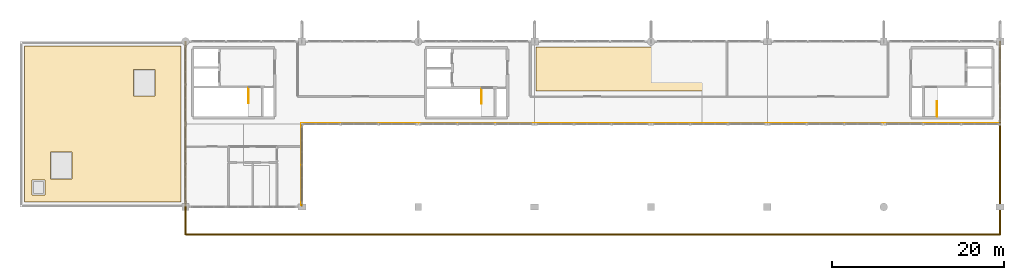
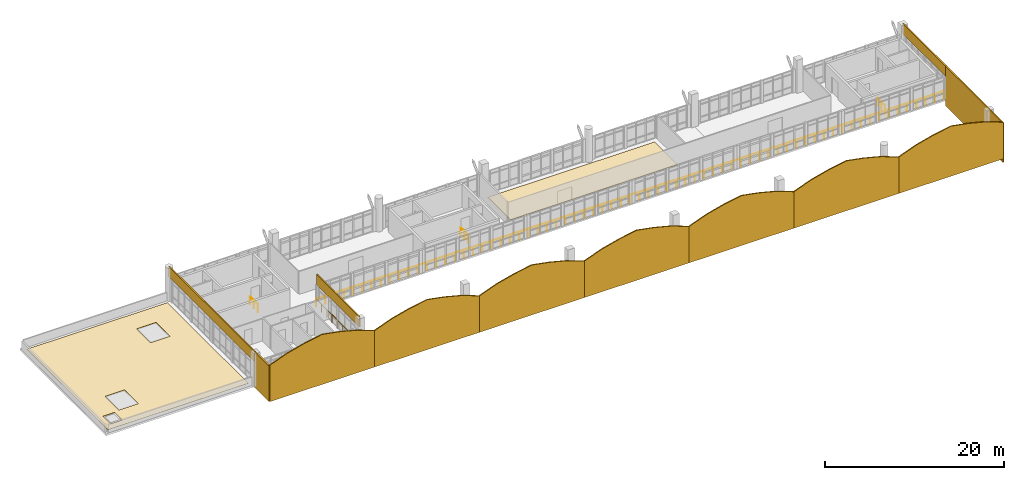
# One storey, part 37 of 37: 14 coverings, 5 railings.
"""IFC4 building model written with IfcOpenShell, lengths in metres."""

from ifc_helpers import new_model, si_unit, direction, frame, frame_2d, origin, origin_2d, place, context, subcontext, project, spatial, polyline, rectangle, circle, outline, extrude, material, layer, layer_set, type_object, element, save


model = new_model("IFC4")

# Units and contexts
model_context = context("Model", 3, precision=1e-05, world=origin(), true_north=direction((0.0, 1.0)))
body_context = subcontext(model_context, "Body", "Model", "MODEL_VIEW")
ifc_project = project(units=[si_unit("LENGTHUNIT", "METRE"), si_unit("AREAUNIT", "SQUARE_METRE"), si_unit("VOLUMEUNIT", "CUBIC_METRE"), si_unit("PLANEANGLEUNIT", "RADIAN"), si_unit("MASSUNIT", "GRAM", prefix="KILO")], contexts=[model_context])

# Site, building, storey
site_placement = place(None, origin())
site = spatial("IfcSite", under=ifc_project, at=site_placement, CompositionType="ELEMENT")
building_placement = place(site_placement, origin())
building = spatial("IfcBuilding", under=site, at=building_placement, Name="Fikremerkos Civic Library", CompositionType="ELEMENT")
storey_placement = place(building_placement, frame((0.0, 0.0, 23.39990234375)))
storey = spatial("IfcBuildingStorey", under=building, at=storey_placement, Name="L05", CompositionType="ELEMENT", Elevation=23.39990234375)

# Coverings
ifc_material_1 = material(Name="Anodised aluminium mullion and transom", Category="aluminium")
ifc_layer_1 = layer(ifc_material_1, 0.139892578125, Name="Anodised aluminium mullion and transom")
ifc_layer_set_1 = layer_set([ifc_layer_1], Name="Anodised aluminium mullion and transom")
covering_type_1 = type_object("IfcCoveringType", Name="Anodised aluminium clerestory closure CLD-03", PredefinedType="CLADDING", material=ifc_layer_set_1)
for number, where, z_axis, x_axis, name in (
    (1, (19.199951171875, 8.800048828125, -0.35986328125), (0.0, 0.0, 1.0), (1.0, 0.0, 0.0), "Reading hall south clerestory and barrel-vault lunette closure CLD-03 V1"),
    (2, (32.699951171875, 8.800048828125, -0.35986328125), (0.0, 0.0, 1.0), (1.0, 0.0, 0.0), "Reading hall south clerestory and barrel-vault lunette closure CLD-03 V2"),
    (3, (46.199951171875, 8.800048828125, -0.35986328125), (0.0, 0.0, 1.0), (1.0, 0.0, 0.0), "Reading hall south clerestory and barrel-vault lunette closure CLD-03 V3"),
    (4, (59.699951171875, 8.800048828125, -0.35986328125), (0.0, 0.0, 1.0), (1.0, 0.0, 0.0), "Reading hall south clerestory and barrel-vault lunette closure CLD-03 V4"),
    (5, (73.199951171875, 8.800048828125, -0.35986328125), (0.0, 0.0, 1.0), (1.0, 0.0, 0.0), "Reading hall south clerestory and barrel-vault lunette closure CLD-03 V5"),
    (6, (86.699951171875, 8.800048828125, -0.35986328125), (0.0, 0.0, 1.0), (1.0, 0.0, 0.0), "Reading hall south clerestory and barrel-vault lunette closure CLD-03 V6"),
    (7, (100.199951171875, 8.800048828125, -0.35986328125), (0.0, 0.0, 1.0), (1.0, 0.0, 0.0), "Reading hall south clerestory and barrel-vault lunette closure CLD-03 V7"),
):
    element("IfcCovering", number, at=place(storey_placement, frame(where, z_axis=z_axis, x_axis=x_axis)), inside=storey, type_object=covering_type_1, Name=name, PredefinedType="CLADDING", context=body_context, shape_type="SweptSolid", body=[
        extrude(outline(polyline([(0.0, 0.0), (13.5, 0.0), (13.5, 4.955810546875), (11.25, 5.8017578125), (9.0, 6.3798828125), (6.75, 6.7998046875), (4.5, 6.3798828125), (2.25, 5.8017578125), (0.0, 4.955810546875), (0.0, 0.0)])), frame((0.0, 0.06982421875, 0.0), z_axis=(0.0, -1.0, 0.0), x_axis=(1.0, 0.0, 0.0)), (0.0, 0.0, 1.0), 0.139892578125),
    ])
covering_1_placement = place(storey_placement, frame((32.699951171875, 12.0, 3.10009765625), z_axis=(0.0, 0.0, 1.0), x_axis=(0.0, 1.0, 0.0)))
element("IfcCovering", 8, at=covering_1_placement, inside=storey, type_object=covering_type_1, Name="Mezzanine west return head closure CLD-03", PredefinedType="CLADDING", context=body_context, shape_type="SweptSolid", body=[
    extrude(rectangle(XDim=9.60009765625, YDim=0.139892578125, at=frame_2d((4.800048828125, 0.0))), origin(), (0.0, 0.0, 1.0), 1.39990234375),
])
ifc_material_2 = material(Name="Polymer modified bitumen roofing")
ifc_layer_2 = layer(ifc_material_2, 0.034912109375, Name="Polymer modified bitumen roofing")
ifc_layer_set_2 = layer_set([ifc_layer_2], Name="Polymer modified bitumen roofing")
covering_type_2 = type_object("IfcCoveringType", Name="Insulated roof waterproofing membrane RFG-01", PredefinedType="ROOFING", material=ifc_layer_set_2)
covering_2_placement = place(storey_placement, origin())
element("IfcCovering", 9, at=covering_2_placement, inside=storey, type_object=covering_type_2, Name="Roof waterproofing membrane RFG-01 RF-L05-V5S", PredefinedType="ROOFING", context=body_context, shape_type="SweptSolid", body=[
    extrude(outline(polyline([(0.550048828125, 12.550048828125), (18.64990234375, 12.550048828125), (18.64990234375, 30.64990234375), (0.550048828125, 30.64990234375), (0.550048828125, 12.550048828125)]), holes=[polyline([(3.550048828125, 15.25), (6.050048828125, 15.25), (6.050048828125, 18.35009765625), (3.550048828125, 18.35009765625), (3.550048828125, 15.25)]), polyline([(13.14990234375, 24.85009765625), (15.64990234375, 24.85009765625), (15.64990234375, 27.949951171875), (13.14990234375, 27.949951171875), (13.14990234375, 24.85009765625)]), polyline([(1.39990234375, 13.39990234375), (2.89990234375, 13.39990234375), (2.89990234375, 15.10009765625), (1.39990234375, 15.10009765625), (1.39990234375, 13.39990234375)])]), origin(), (0.0, 0.0, 1.0), 0.03515625),
])

# Railings
ifc_material_3 = material(Name="Painted Steel S275", Category="steel")
railing_type = type_object("IfcRailingType", Name="Interior balustrade guard RLG-INT 1100", PredefinedType="BALUSTRADE", material=ifc_material_3)
railing_1_placement = place(storey_placement, frame((26.5, 25.800048828125, 0.0)))
element("IfcRailing", 10, at=railing_1_placement, inside=storey, type_object=railing_type, Name="L05 ST-K1 top well guard 1", PredefinedType="BALUSTRADE", context=body_context, shape_type="SweptSolid", body=[
    extrude(circle(Radius=0.02392578125, at=origin_2d()), frame((0.0, 0.0, 1.076171875), z_axis=(0.0, -1.0, 0.0), x_axis=(1.0, 0.0, 0.0)), (0.0, 0.0, 1.0), 1.75),
    extrude(circle(Radius=0.02099609375, at=origin_2d()), origin(), (0.0, 0.0, 1.0), 1.052001953125),
    extrude(circle(Radius=0.02099609375, at=origin_2d()), frame((0.0, -0.875, 0.0)), (0.0, 0.0, 1.0), 1.052001953125),
    extrude(circle(Radius=0.02099609375, at=origin_2d()), frame((0.0, -1.75, 0.0)), (0.0, 0.0, 1.0), 1.052001953125),
])
railing_2_placement = place(storey_placement, frame((106.39990234375, 22.5, 0.0)))
element("IfcRailing", 11, at=railing_2_placement, inside=storey, type_object=railing_type, Name="L05 ST-K2 top well guard 1", PredefinedType="BALUSTRADE", context=body_context, shape_type="SweptSolid", body=[
    extrude(circle(Radius=0.02392578125, at=origin_2d()), frame((0.0, 0.0, 1.076171875), z_axis=(0.0, 1.0, 0.0), x_axis=(-1.0, 0.0, 0.0)), (0.0, 0.0, 1.0), 1.75),
    extrude(circle(Radius=0.02099609375, at=origin_2d()), origin(), (0.0, 0.0, 1.0), 1.052001953125),
    extrude(circle(Radius=0.02099609375, at=origin_2d()), frame((0.0, 0.875, 0.0)), (0.0, 0.0, 1.0), 1.052001953125),
    extrude(circle(Radius=0.02099609375, at=origin_2d()), frame((0.0, 1.75, 0.0)), (0.0, 0.0, 1.0), 1.052001953125),
])
railing_3_placement = place(storey_placement, frame((53.550048828125, 25.699951171875, 0.0)))
element("IfcRailing", 12, at=railing_3_placement, inside=storey, type_object=railing_type, Name="L05 ST-K3 top well guard 1", PredefinedType="BALUSTRADE", context=body_context, shape_type="SweptSolid", body=[
    extrude(circle(Radius=0.02392578125, at=origin_2d()), frame((0.0, 0.0, 1.076171875), z_axis=(0.0, -1.0, 0.0), x_axis=(1.0, 0.0, 0.0)), (0.0, 0.0, 1.0), 1.699951171875),
    extrude(circle(Radius=0.02099609375, at=origin_2d()), origin(), (0.0, 0.0, 1.0), 1.052001953125),
    extrude(circle(Radius=0.02099609375, at=origin_2d()), frame((0.0, -0.85009765625, 0.0)), (0.0, 0.0, 1.0), 1.052001953125),
    extrude(circle(Radius=0.02099609375, at=origin_2d()), frame((0.0, -1.699951171875, 0.0)), (0.0, 0.0, 1.0), 1.052001953125),
])
railing_4_placement = place(storey_placement, frame((32.64990234375, 21.679931640625, 0.0)))
element("IfcRailing", 13, at=railing_4_placement, inside=storey, type_object=railing_type, Name="Mezzanine overlooking balustrade guard L05 S", PredefinedType="BALUSTRADE", context=body_context, shape_type="SweptSolid", body=[
    extrude(circle(Radius=0.02392578125, at=origin_2d()), frame((0.0, 0.0, 1.076171875), z_axis=(1.0, 0.0, 0.0), x_axis=(0.0, 1.0, 0.0)), (0.0, 0.0, 1.0), 80.85009765625),
    extrude(circle(Radius=0.02099609375, at=origin_2d()), origin(), (0.0, 0.0, 1.0), 1.052001953125),
    extrude(circle(Radius=0.02099609375, at=origin_2d()), frame((1.18896484375, 0.0, 0.0)), (0.0, 0.0, 1.0), 1.052001953125),
    extrude(circle(Radius=0.02099609375, at=origin_2d()), frame((2.3779296875, 0.0, 0.0)), (0.0, 0.0, 1.0), 1.052001953125),
    extrude(circle(Radius=0.02099609375, at=origin_2d()), frame((3.56689453125, 0.0, 0.0)), (0.0, 0.0, 1.0), 1.052001953125),
    extrude(circle(Radius=0.02099609375, at=origin_2d()), frame((4.755859375, 0.0, 0.0)), (0.0, 0.0, 1.0), 1.052001953125),
    extrude(circle(Radius=0.02099609375, at=origin_2d()), frame((5.94482421875, 0.0, 0.0)), (0.0, 0.0, 1.0), 1.052001953125),
    extrude(circle(Radius=0.02099609375, at=origin_2d()), frame((7.1337890625, 0.0, 0.0)), (0.0, 0.0, 1.0), 1.052001953125),
    extrude(circle(Radius=0.02099609375, at=origin_2d()), frame((8.32275390625, 0.0, 0.0)), (0.0, 0.0, 1.0), 1.052001953125),
    extrude(circle(Radius=0.02099609375, at=origin_2d()), frame((9.51171875, 0.0, 0.0)), (0.0, 0.0, 1.0), 1.052001953125),
    extrude(circle(Radius=0.02099609375, at=origin_2d()), frame((10.70068359375, 0.0, 0.0)), (0.0, 0.0, 1.0), 1.052001953125),
    extrude(circle(Radius=0.02099609375, at=origin_2d()), frame((11.8896484375, 0.0, 0.0)), (0.0, 0.0, 1.0), 1.052001953125),
    extrude(circle(Radius=0.02099609375, at=origin_2d()), frame((13.07861328125, 0.0, 0.0)), (0.0, 0.0, 1.0), 1.052001953125),
    extrude(circle(Radius=0.02099609375, at=origin_2d()), frame((14.267578125, 0.0, 0.0)), (0.0, 0.0, 1.0), 1.052001953125),
    extrude(circle(Radius=0.02099609375, at=origin_2d()), frame((15.45654296875, 0.0, 0.0)), (0.0, 0.0, 1.0), 1.052001953125),
    extrude(circle(Radius=0.02099609375, at=origin_2d()), frame((16.6455078125, 0.0, 0.0)), (0.0, 0.0, 1.0), 1.052001953125),
    extrude(circle(Radius=0.02099609375, at=origin_2d()), frame((17.83447265625, 0.0, 0.0)), (0.0, 0.0, 1.0), 1.052001953125),
    extrude(circle(Radius=0.02099609375, at=origin_2d()), frame((19.0234375, 0.0, 0.0)), (0.0, 0.0, 1.0), 1.052001953125),
    extrude(circle(Radius=0.02099609375, at=origin_2d()), frame((20.21240234375, 0.0, 0.0)), (0.0, 0.0, 1.0), 1.052001953125),
    extrude(circle(Radius=0.02099609375, at=origin_2d()), frame((21.401611328125, 0.0, 0.0)), (0.0, 0.0, 1.0), 1.052001953125),
    extrude(circle(Radius=0.02099609375, at=origin_2d()), frame((22.590576171875, 0.0, 0.0)), (0.0, 0.0, 1.0), 1.052001953125),
    extrude(circle(Radius=0.02099609375, at=origin_2d()), frame((23.779541015625, 0.0, 0.0)), (0.0, 0.0, 1.0), 1.052001953125),
    extrude(circle(Radius=0.02099609375, at=origin_2d()), frame((24.968505859375, 0.0, 0.0)), (0.0, 0.0, 1.0), 1.052001953125),
    extrude(circle(Radius=0.02099609375, at=origin_2d()), frame((26.157470703125, 0.0, 0.0)), (0.0, 0.0, 1.0), 1.052001953125),
    extrude(circle(Radius=0.02099609375, at=origin_2d()), frame((27.346435546875, 0.0, 0.0)), (0.0, 0.0, 1.0), 1.052001953125),
    extrude(circle(Radius=0.02099609375, at=origin_2d()), frame((28.535400390625, 0.0, 0.0)), (0.0, 0.0, 1.0), 1.052001953125),
    extrude(circle(Radius=0.02099609375, at=origin_2d()), frame((29.724365234375, 0.0, 0.0)), (0.0, 0.0, 1.0), 1.052001953125),
    extrude(circle(Radius=0.02099609375, at=origin_2d()), frame((30.913330078125, 0.0, 0.0)), (0.0, 0.0, 1.0), 1.052001953125),
    extrude(circle(Radius=0.02099609375, at=origin_2d()), frame((32.102294921875, 0.0, 0.0)), (0.0, 0.0, 1.0), 1.052001953125),
    extrude(circle(Radius=0.02099609375, at=origin_2d()), frame((33.291259765625, 0.0, 0.0)), (0.0, 0.0, 1.0), 1.052001953125),
    extrude(circle(Radius=0.02099609375, at=origin_2d()), frame((34.480224609375, 0.0, 0.0)), (0.0, 0.0, 1.0), 1.052001953125),
    extrude(circle(Radius=0.02099609375, at=origin_2d()), frame((35.669189453125, 0.0, 0.0)), (0.0, 0.0, 1.0), 1.052001953125),
    extrude(circle(Radius=0.02099609375, at=origin_2d()), frame((36.858154296875, 0.0, 0.0)), (0.0, 0.0, 1.0), 1.052001953125),
    extrude(circle(Radius=0.02099609375, at=origin_2d()), frame((38.047119140625, 0.0, 0.0)), (0.0, 0.0, 1.0), 1.052001953125),
    extrude(circle(Radius=0.02099609375, at=origin_2d()), frame((39.236083984375, 0.0, 0.0)), (0.0, 0.0, 1.0), 1.052001953125),
    extrude(circle(Radius=0.02099609375, at=origin_2d()), frame((40.425048828125, 0.0, 0.0)), (0.0, 0.0, 1.0), 1.052001953125),
    extrude(circle(Radius=0.02099609375, at=origin_2d()), frame((41.614013671875, 0.0, 0.0)), (0.0, 0.0, 1.0), 1.052001953125),
    extrude(circle(Radius=0.02099609375, at=origin_2d()), frame((42.802978515625, 0.0, 0.0)), (0.0, 0.0, 1.0), 1.052001953125),
    extrude(circle(Radius=0.02099609375, at=origin_2d()), frame((43.991943359375, 0.0, 0.0)), (0.0, 0.0, 1.0), 1.052001953125),
    extrude(circle(Radius=0.02099609375, at=origin_2d()), frame((45.180908203125, 0.0, 0.0)), (0.0, 0.0, 1.0), 1.052001953125),
    extrude(circle(Radius=0.02099609375, at=origin_2d()), frame((46.369873046875, 0.0, 0.0)), (0.0, 0.0, 1.0), 1.052001953125),
    extrude(circle(Radius=0.02099609375, at=origin_2d()), frame((47.558837890625, 0.0, 0.0)), (0.0, 0.0, 1.0), 1.052001953125),
    extrude(circle(Radius=0.02099609375, at=origin_2d()), frame((48.747802734375, 0.0, 0.0)), (0.0, 0.0, 1.0), 1.052001953125),
    extrude(circle(Radius=0.02099609375, at=origin_2d()), frame((49.936767578125, 0.0, 0.0)), (0.0, 0.0, 1.0), 1.052001953125),
    extrude(circle(Radius=0.02099609375, at=origin_2d()), frame((51.125732421875, 0.0, 0.0)), (0.0, 0.0, 1.0), 1.052001953125),
    extrude(circle(Radius=0.02099609375, at=origin_2d()), frame((52.314697265625, 0.0, 0.0)), (0.0, 0.0, 1.0), 1.052001953125),
    extrude(circle(Radius=0.02099609375, at=origin_2d()), frame((53.503662109375, 0.0, 0.0)), (0.0, 0.0, 1.0), 1.052001953125),
    extrude(circle(Radius=0.02099609375, at=origin_2d()), frame((54.692626953125, 0.0, 0.0)), (0.0, 0.0, 1.0), 1.052001953125),
    extrude(circle(Radius=0.02099609375, at=origin_2d()), frame((55.881591796875, 0.0, 0.0)), (0.0, 0.0, 1.0), 1.052001953125),
    extrude(circle(Radius=0.02099609375, at=origin_2d()), frame((57.070556640625, 0.0, 0.0)), (0.0, 0.0, 1.0), 1.052001953125),
    extrude(circle(Radius=0.02099609375, at=origin_2d()), frame((58.259521484375, 0.0, 0.0)), (0.0, 0.0, 1.0), 1.052001953125),
    extrude(circle(Radius=0.02099609375, at=origin_2d()), frame((59.448486328125, 0.0, 0.0)), (0.0, 0.0, 1.0), 1.052001953125),
    extrude(circle(Radius=0.02099609375, at=origin_2d()), frame((60.6376953125, 0.0, 0.0)), (0.0, 0.0, 1.0), 1.052001953125),
    extrude(circle(Radius=0.02099609375, at=origin_2d()), frame((61.82666015625, 0.0, 0.0)), (0.0, 0.0, 1.0), 1.052001953125),
    extrude(circle(Radius=0.02099609375, at=origin_2d()), frame((63.015625, 0.0, 0.0)), (0.0, 0.0, 1.0), 1.052001953125),
    extrude(circle(Radius=0.02099609375, at=origin_2d()), frame((64.20458984375, 0.0, 0.0)), (0.0, 0.0, 1.0), 1.052001953125),
    extrude(circle(Radius=0.02099609375, at=origin_2d()), frame((65.3935546875, 0.0, 0.0)), (0.0, 0.0, 1.0), 1.052001953125),
    extrude(circle(Radius=0.02099609375, at=origin_2d()), frame((66.58251953125, 0.0, 0.0)), (0.0, 0.0, 1.0), 1.052001953125),
    extrude(circle(Radius=0.02099609375, at=origin_2d()), frame((67.771484375, 0.0, 0.0)), (0.0, 0.0, 1.0), 1.052001953125),
    extrude(circle(Radius=0.02099609375, at=origin_2d()), frame((68.96044921875, 0.0, 0.0)), (0.0, 0.0, 1.0), 1.052001953125),
    extrude(circle(Radius=0.02099609375, at=origin_2d()), frame((70.1494140625, 0.0, 0.0)), (0.0, 0.0, 1.0), 1.052001953125),
    extrude(circle(Radius=0.02099609375, at=origin_2d()), frame((71.33837890625, 0.0, 0.0)), (0.0, 0.0, 1.0), 1.052001953125),
    extrude(circle(Radius=0.02099609375, at=origin_2d()), frame((72.52734375, 0.0, 0.0)), (0.0, 0.0, 1.0), 1.052001953125),
    extrude(circle(Radius=0.02099609375, at=origin_2d()), frame((73.71630859375, 0.0, 0.0)), (0.0, 0.0, 1.0), 1.052001953125),
    extrude(circle(Radius=0.02099609375, at=origin_2d()), frame((74.9052734375, 0.0, 0.0)), (0.0, 0.0, 1.0), 1.052001953125),
    extrude(circle(Radius=0.02099609375, at=origin_2d()), frame((76.09423828125, 0.0, 0.0)), (0.0, 0.0, 1.0), 1.052001953125),
    extrude(circle(Radius=0.02099609375, at=origin_2d()), frame((77.283203125, 0.0, 0.0)), (0.0, 0.0, 1.0), 1.052001953125),
    extrude(circle(Radius=0.02099609375, at=origin_2d()), frame((78.47216796875, 0.0, 0.0)), (0.0, 0.0, 1.0), 1.052001953125),
    extrude(circle(Radius=0.02099609375, at=origin_2d()), frame((79.6611328125, 0.0, 0.0)), (0.0, 0.0, 1.0), 1.052001953125),
    extrude(circle(Radius=0.02099609375, at=origin_2d()), frame((80.85009765625, 0.0, 0.0)), (0.0, 0.0, 1.0), 1.052001953125),
])
railing_5_placement = place(storey_placement, frame((32.64990234375, 12.199951171875, 0.0)))
element("IfcRailing", 14, at=railing_5_placement, inside=storey, type_object=railing_type, Name="Mezzanine overlooking balustrade guard L05 W", PredefinedType="BALUSTRADE", context=body_context, shape_type="SweptSolid", body=[
    extrude(circle(Radius=0.02392578125, at=origin_2d()), frame((0.0, 0.0, 1.076171875), z_axis=(0.0, 1.0, 0.0), x_axis=(-1.0, 0.0, 0.0)), (0.0, 0.0, 1.0), 9.47998046875),
    extrude(circle(Radius=0.02099609375, at=origin_2d()), origin(), (0.0, 0.0, 1.0), 1.052001953125),
    extrude(circle(Radius=0.02099609375, at=origin_2d()), frame((0.0, 1.18505859375, 0.0)), (0.0, 0.0, 1.0), 1.052001953125),
    extrude(circle(Radius=0.02099609375, at=origin_2d()), frame((0.0, 2.3701171875, 0.0)), (0.0, 0.0, 1.0), 1.052001953125),
    extrude(circle(Radius=0.02099609375, at=origin_2d()), frame((0.0, 3.554931640625, 0.0)), (0.0, 0.0, 1.0), 1.052001953125),
    extrude(circle(Radius=0.02099609375, at=origin_2d()), frame((0.0, 4.739990234375, 0.0)), (0.0, 0.0, 1.0), 1.052001953125),
    extrude(circle(Radius=0.02099609375, at=origin_2d()), frame((0.0, 5.925048828125, 0.0)), (0.0, 0.0, 1.0), 1.052001953125),
    extrude(circle(Radius=0.02099609375, at=origin_2d()), frame((0.0, 7.10986328125, 0.0)), (0.0, 0.0, 1.0), 1.052001953125),
    extrude(circle(Radius=0.02099609375, at=origin_2d()), frame((0.0, 8.294921875, 0.0)), (0.0, 0.0, 1.0), 1.052001953125),
    extrude(circle(Radius=0.02099609375, at=origin_2d()), frame((0.0, 9.47998046875, 0.0)), (0.0, 0.0, 1.0), 1.052001953125),
])

# Coverings
ifc_material_4 = material(Name="Polished basalt terrazzo", Category="masonry")
ifc_layer_3 = layer(ifc_material_4, 0.030029296875, Name="Polished basalt terrazzo")
ifc_layer_set_3 = layer_set([ifc_layer_3], Name="Polished basalt terrazzo")
covering_type_3 = type_object("IfcCoveringType", Name="Polished basalt terrazzo flooring FLR-01", PredefinedType="FLOORING", material=ifc_layer_set_3)
covering_3_placement = place(storey_placement, origin())
element("IfcCovering", 15, at=covering_3_placement, inside=storey, type_object=covering_type_3, Name="Terrazzo floor finish Mezzanine Reading Gallery Central", PredefinedType="FLOORING", context=body_context, shape_type="SweptSolid", body=[
    extrude(outline(polyline([(59.85009765625, 25.449951171875), (59.85009765625, 30.550048828125), (81.35009765625, 30.550048828125), (81.35009765625, 25.449951171875), (59.85009765625, 25.449951171875)])), origin(), (0.0, 0.0, 1.0), 0.030029296875),
])
ifc_material_5 = material(Name="Precast basalt cladding panel", Category="masonry")
ifc_layer_4 = layer(ifc_material_5, 0.159912109375, Name="Precast basalt cladding panel")
ifc_layer_set_4 = layer_set([ifc_layer_4], Name="Precast basalt cladding panel")
covering_type_4 = type_object("IfcCoveringType", Name="Precast basalt cladding panel CLD-02", PredefinedType="CLADDING", material=ifc_layer_set_4)
covering_4_placement = place(storey_placement, frame((19.199951171875, 8.800048828125, -0.35986328125), z_axis=(0.0, 0.0, 1.0), x_axis=(0.0, 1.0, 0.0)))
element("IfcCovering", 16, at=covering_4_placement, inside=storey, type_object=covering_type_4, Name="Reading hall west-south flank closure CLD-02", PredefinedType="CLADDING", context=body_context, shape_type="SweptSolid", body=[
    extrude(rectangle(XDim=3.199951171875, YDim=0.159912109375, at=frame_2d((1.60009765625, 0.0))), origin(), (0.0, 0.0, 1.0), 4.85986328125),
])
covering_5_placement = place(storey_placement, frame((19.199951171875, 12.0, 3.10009765625), z_axis=(0.0, 0.0, 1.0), x_axis=(0.0, 1.0, 0.0)))
element("IfcCovering", 17, at=covering_5_placement, inside=storey, type_object=covering_type_4, Name="Reading hall west-north flank closure CLD-02", PredefinedType="CLADDING", context=body_context, shape_type="SweptSolid", body=[
    extrude(rectangle(XDim=19.199951171875, YDim=0.159912109375, at=frame_2d((9.60009765625, 0.0))), origin(), (0.0, 0.0, 1.0), 1.39990234375),
])
covering_6_placement = place(storey_placement, frame((113.699951171875, 8.800048828125, -0.889892578125), z_axis=(0.0, 0.0, 1.0), x_axis=(0.0, 1.0, 0.0)))
element("IfcCovering", 18, at=covering_6_placement, inside=storey, type_object=covering_type_4, Name="Reading hall east-south flank closure CLD-02", PredefinedType="CLADDING", context=body_context, shape_type="SweptSolid", body=[
    extrude(rectangle(XDim=12.800048828125, YDim=0.159912109375, at=frame_2d((6.39990234375, 0.0))), origin(), (0.0, 0.0, 1.0), 5.389892578125),
])
covering_7_placement = place(storey_placement, frame((113.699951171875, 21.60009765625, 3.10009765625), z_axis=(0.0, 0.0, 1.0), x_axis=(0.0, 1.0, 0.0)))
element("IfcCovering", 19, at=covering_7_placement, inside=storey, type_object=covering_type_4, Name="Reading hall east-north flank closure CLD-02", PredefinedType="CLADDING", context=body_context, shape_type="SweptSolid", body=[
    extrude(rectangle(XDim=9.599853515625, YDim=0.159912109375, at=frame_2d((4.7998046875, 0.0))), origin(), (0.0, 0.0, 1.0), 1.39990234375),
])

save(model, "model.ifc")
